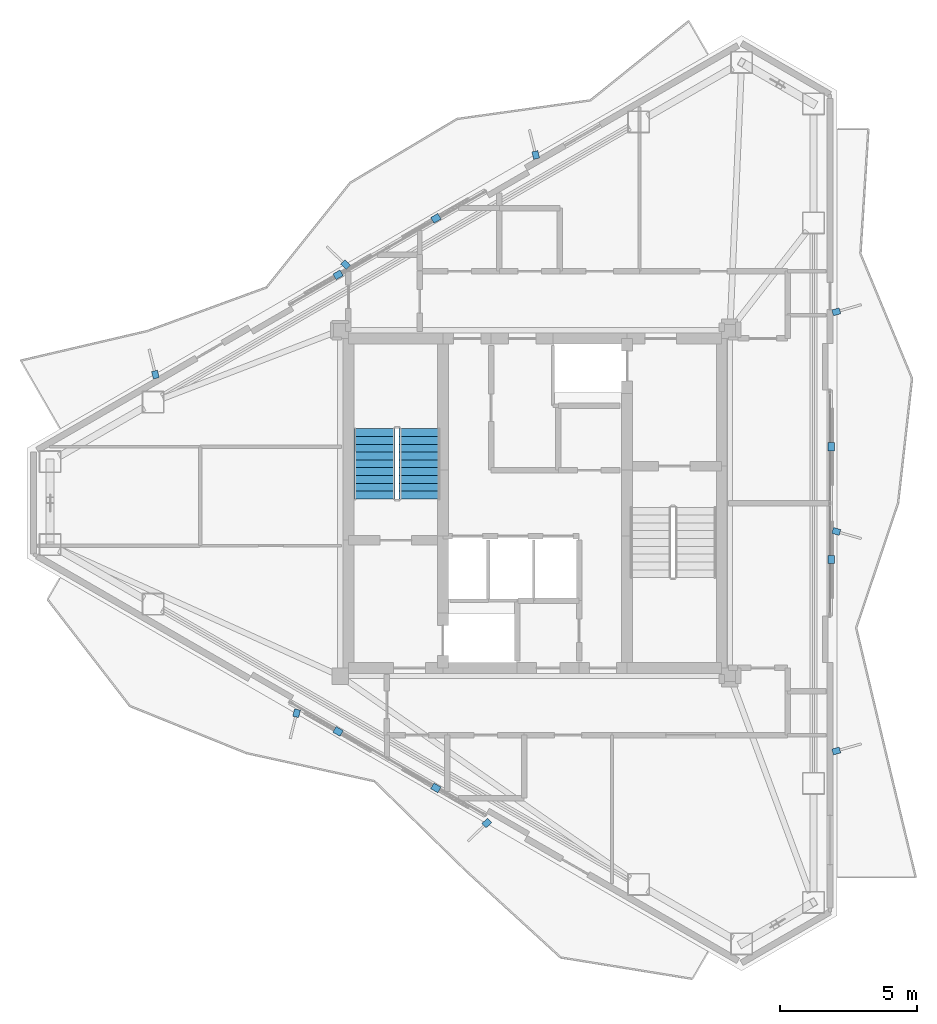
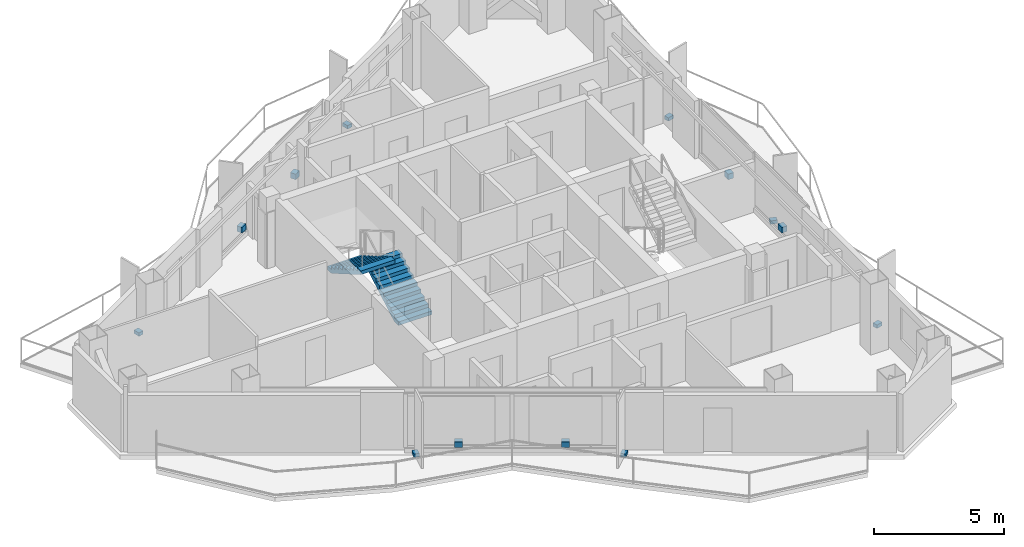
# One storey, part 17 of 18: 14 discrete accessories, 2 stair flights, 1 element without a shape of its own.
"""IFC4 building model written with IfcOpenShell, lengths in metres."""

from ifc_helpers import new_model, si_unit, direction, frame, origin, origin_2d, place, context, subcontext, project, spatial, polyline, rectangle, outline, extrude, material, layer, layer_set, type_object, element, aggregate, save


model = new_model("IFC4")

# Units and contexts
model_context = context("Model", 3, precision=1e-05, world=origin(), true_north=direction((0.0, 1.0)))
body_context = subcontext(model_context, "Body", "Model", "MODEL_VIEW")
ifc_project = project(units=[si_unit("LENGTHUNIT", "METRE"), si_unit("AREAUNIT", "SQUARE_METRE"), si_unit("VOLUMEUNIT", "CUBIC_METRE"), si_unit("PLANEANGLEUNIT", "RADIAN"), si_unit("MASSUNIT", "GRAM", prefix="KILO")], contexts=[model_context])

# Site, building, storey
site_placement = place(None, origin())
site = spatial("IfcSite", under=ifc_project, at=site_placement, CompositionType="ELEMENT")
building_placement = place(site_placement, origin())
building = spatial("IfcBuilding", under=site, at=building_placement, Name="Mersakhor Tower and Convention Hall", CompositionType="ELEMENT")
storey_placement = place(building_placement, frame((0.0, 0.0, 236.39990234375)))
storey = spatial("IfcBuildingStorey", under=building, at=storey_placement, Name="L66", CompositionType="ELEMENT", Elevation=236.39990234375)

# Stair, stair flights
ifc_material_1 = material(Name="Concrete C45/55", Category="concrete")
stair_type = type_object("IfcStairType", Name="ST-TWR-20R", PredefinedType="HALF_TURN_STAIR", material=ifc_material_1)
stair_placement = place(storey_placement, origin())
stair = element("IfcStair", 1, at=stair_placement, inside=storey, type_object=stair_type, Name="L66 Tower Protected Exit Stair ST-1", PredefinedType="HALF_TURN_STAIR")
ifc_material_2 = material(Name="Concrete C45/55", Category="concrete")
stair_flight_type = type_object("IfcStairFlightType", Name="SFL-TWR-20R", PredefinedType="STRAIGHT", material=ifc_material_2)
stair_flight_1_placement = place(storey_placement, frame((24.800048828125, 26.89990234375, 0.0), z_axis=(0.0, 0.0, 1.0), x_axis=(0.0, 1.0, 0.0)))
stair_flight_1 = element("IfcStairFlight", 2, at=stair_flight_1_placement, type_object=stair_flight_type, Name="ST-1 flight 1", NumberOfRisers=10, NumberOfTreads=9, PredefinedType="STRAIGHT", RiserHeight=0.165, TreadLength=0.285, context=body_context, shape_type="SweptSolid", body=[
    extrude(outline(polyline([(0.0, 0.0), (0.0, 0.1650390625), (0.284912109375, 0.1650390625), (0.284912109375, 0.330078125), (0.570068359375, 0.330078125), (0.570068359375, 0.4951171875), (0.85498046875, 0.4951171875), (0.85498046875, 0.659912109375), (1.139892578125, 0.659912109375), (1.139892578125, 0.824951171875), (1.425048828125, 0.824951171875), (1.425048828125, 0.989990234375), (1.7099609375, 0.989990234375), (1.7099609375, 1.155029296875), (1.9951171875, 1.155029296875), (1.9951171875, 1.320068359375), (2.280029296875, 1.320068359375), (2.280029296875, 1.485107421875), (2.56494140625, 1.485107421875), (2.56494140625, 1.64990234375), (2.56494140625, 1.311767578125), (0.299072265625, 0.0), (0.0, 0.0)])), frame((0.0, 0.75, 0.0), z_axis=(0.0, -1.0, 0.0), x_axis=(1.0, 0.0, 0.0)), (0.0, 0.0, 1.0), 1.5),
])
stair_flight_2_placement = place(storey_placement, frame((23.14990234375, 29.465087890625, 1.650146484375), z_axis=(0.0, 0.0, 1.0), x_axis=(0.0, -1.0, 0.0)))
stair_flight_2 = element("IfcStairFlight", 3, at=stair_flight_2_placement, type_object=stair_flight_type, Name="ST-1 flight 2", NumberOfRisers=10, NumberOfTreads=9, PredefinedType="STRAIGHT", RiserHeight=0.165, TreadLength=0.285, context=body_context, shape_type="SweptSolid", body=[
    extrude(outline(polyline([(0.0, 0.0), (0.0, 0.1650390625), (0.284912109375, 0.1650390625), (0.284912109375, 0.330078125), (0.570068359375, 0.330078125), (0.570068359375, 0.4951171875), (0.85498046875, 0.4951171875), (0.85498046875, 0.659912109375), (1.139892578125, 0.659912109375), (1.139892578125, 0.824951171875), (1.425048828125, 0.824951171875), (1.425048828125, 0.989990234375), (1.7099609375, 0.989990234375), (1.7099609375, 1.155029296875), (1.9951171875, 1.155029296875), (1.9951171875, 1.320068359375), (2.280029296875, 1.320068359375), (2.280029296875, 1.485107421875), (2.56494140625, 1.485107421875), (2.56494140625, 1.64990234375), (2.56494140625, 1.311767578125), (0.299072265625, 0.0), (0.0, 0.0)])), frame((0.0, 0.75, 0.0), z_axis=(0.0, -1.0, 0.0), x_axis=(1.0, 0.0, 0.0)), (0.0, 0.0, 1.0), 1.5),
])
aggregate(stair, [stair_flight_1, stair_flight_2])

# Discrete accessories
ifc_material_3 = material(Name="Galvanised steel bracket", Category="steel")
ifc_layer = layer(ifc_material_3, 0.02001953125)
ifc_layer_set = layer_set([ifc_layer], Name="Galvanised steel bracket")
discrete_accessory_type = type_object("IfcDiscreteAccessoryType", Name="ACC-BRK-STL", PredefinedType="BRACKET", material=ifc_layer_set)
for number, where, z_axis, x_axis, name in (
    (4, (21.822265625, 35.068359375, 0.2900390625), (0.0, 0.0, 1.0), (0.866025403784, 0.5, 0.0), "L66 Solar Screen Outrigger Bracket BRK-1-1"),
    (5, (25.385009765625, 37.125244140625, 0.2900390625), (0.0, 0.0, 1.0), (0.866025403784, 0.5, 0.0), "L66 Solar Screen Outrigger Bracket BRK-1-2"),
):
    element("IfcDiscreteAccessory", number, at=place(storey_placement, frame(where, z_axis=z_axis, x_axis=x_axis)), inside=storey, type_object=discrete_accessory_type, Name=name, PredefinedType="BRACKET", context=body_context, shape_type="SweptSolid", body=[
        extrude(rectangle(XDim=0.300048828125, YDim=0.239990234375, at=origin_2d()), origin(), (0.0, 0.0, 1.0), 0.260009765625),
    ])
for number, where, z_axis, x_axis, name in (
    (6, (15.16845703125, 31.434814453125, -0.02001953125), (0.0, 0.0, 1.0), (-0.2419218956, 0.970295726276, 0.0), "L66 Facade Fin Base Cleat Bracket FBRK-1-1"),
    (7, (22.0966796875, 35.434814453125, -0.02001953125), (0.0, 0.0, 1.0), (-0.719339800339, 0.694658370459, 0.0), "L66 Facade Fin Base Cleat Bracket FBRK-1-2"),
    (8, (29.02490234375, 39.434814453125, -0.02001953125), (0.0, 0.0, 1.0), (-0.2419218956, 0.970295726276, 0.0), "L66 Facade Fin Base Cleat Bracket FBRK-1-3"),
):
    element("IfcDiscreteAccessory", number, at=place(storey_placement, frame(where, z_axis=z_axis, x_axis=x_axis)), inside=storey, type_object=discrete_accessory_type, Name=name, PredefinedType="BRACKET", context=body_context, shape_type="SweptSolid", body=[
        extrude(rectangle(XDim=0.280029296875, YDim=0.219970703125, at=origin_2d()), origin(), (0.0, 0.0, 1.0), 0.159912109375),
    ])
for number, where, z_axis, x_axis, name in (
    (9, (39.792724609375, 28.806884765625, 0.2900390625), (0.0, 0.0, 1.0), (0.0, -1.0, 0.0), "L66 Solar Screen Outrigger Bracket BRK-2-1"),
    (10, (39.792724609375, 24.693115234375, 0.2900390625), (0.0, 0.0, 1.0), (0.0, -1.0, 0.0), "L66 Solar Screen Outrigger Bracket BRK-2-2"),
):
    element("IfcDiscreteAccessory", number, at=place(storey_placement, frame(where, z_axis=z_axis, x_axis=x_axis)), inside=storey, type_object=discrete_accessory_type, Name=name, PredefinedType="BRACKET", context=body_context, shape_type="SweptSolid", body=[
        extrude(rectangle(XDim=0.300048828125, YDim=0.239990234375, at=origin_2d()), origin(), (0.0, 0.0, 1.0), 0.260009765625),
    ])
for number, where, z_axis, x_axis, name in (
    (11, (39.972900390625, 33.719482421875, -0.02001953125), (0.0, 0.0, 1.0), (0.961261695938, 0.275637355817, 0.0), "L66 Facade Fin Base Cleat Bracket FBRK-2-1"),
    (12, (39.972900390625, 25.719482421875, -0.02001953125), (0.0, 0.0, 1.0), (0.961261695938, -0.275637355817, 0.0), "L66 Facade Fin Base Cleat Bracket FBRK-2-2"),
    (13, (39.972900390625, 17.719482421875, -0.02001953125), (0.0, 0.0, 1.0), (0.961261695938, 0.275637355817, 0.0), "L66 Facade Fin Base Cleat Bracket FBRK-2-3"),
):
    element("IfcDiscreteAccessory", number, at=place(storey_placement, frame(where, z_axis=z_axis, x_axis=x_axis)), inside=storey, type_object=discrete_accessory_type, Name=name, PredefinedType="BRACKET", context=body_context, shape_type="SweptSolid", body=[
        extrude(rectangle(XDim=0.280029296875, YDim=0.219970703125, at=origin_2d()), origin(), (0.0, 0.0, 1.0), 0.159912109375),
    ])
for number, where, z_axis, x_axis, name in (
    (14, (25.385009765625, 16.374755859375, 0.2900390625), (0.0, 0.0, 1.0), (-0.866025403784, 0.5, 0.0), "L66 Solar Screen Outrigger Bracket BRK-3-1"),
    (15, (21.822265625, 18.431640625, 0.2900390625), (0.0, 0.0, 1.0), (-0.866025403784, 0.5, 0.0), "L66 Solar Screen Outrigger Bracket BRK-3-2"),
):
    element("IfcDiscreteAccessory", number, at=place(storey_placement, frame(where, z_axis=z_axis, x_axis=x_axis)), inside=storey, type_object=discrete_accessory_type, Name=name, PredefinedType="BRACKET", context=body_context, shape_type="SweptSolid", body=[
        extrude(rectangle(XDim=0.300048828125, YDim=0.239990234375, at=origin_2d()), origin(), (0.0, 0.0, 1.0), 0.260009765625),
    ])
for number, where, z_axis, x_axis, name in (
    (16, (27.239990234375, 15.095947265625, -0.02001953125), (0.0, 0.0, 1.0), (-0.719339800339, -0.694658370459, 0.0), "L66 Facade Fin Base Cleat Bracket FBRK-3-1"),
    (17, (20.311767578125, 19.095947265625, -0.02001953125), (0.0, 0.0, 1.0), (-0.2419218956, -0.970295726276, 0.0), "L66 Facade Fin Base Cleat Bracket FBRK-3-2"),
):
    element("IfcDiscreteAccessory", number, at=place(storey_placement, frame(where, z_axis=z_axis, x_axis=x_axis)), inside=storey, type_object=discrete_accessory_type, Name=name, PredefinedType="BRACKET", context=body_context, shape_type="SweptSolid", body=[
        extrude(rectangle(XDim=0.280029296875, YDim=0.219970703125, at=origin_2d()), origin(), (0.0, 0.0, 1.0), 0.159912109375),
    ])

save(model, "model.ifc")
